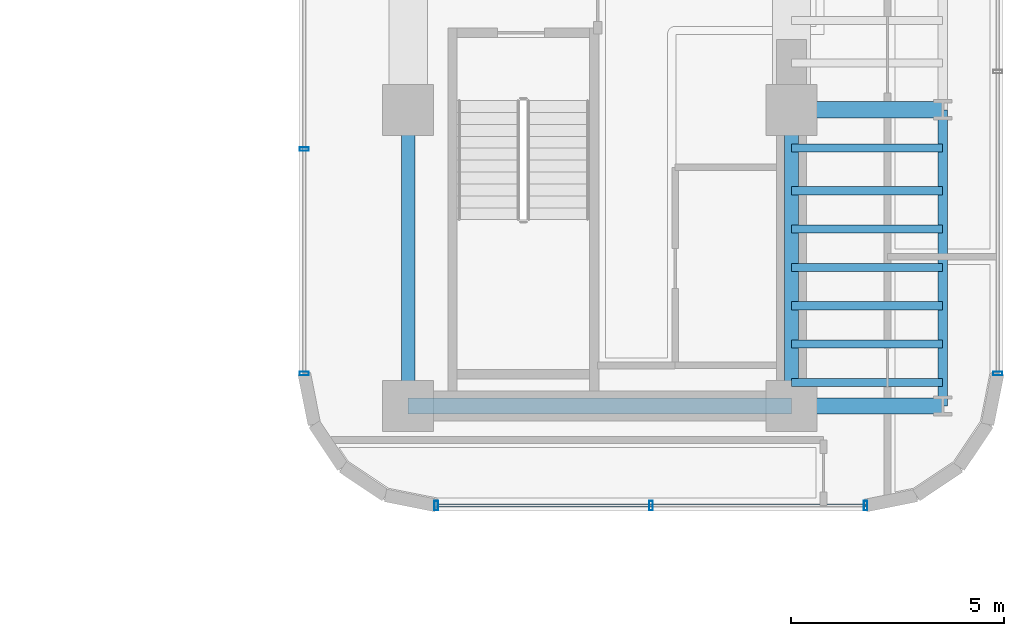
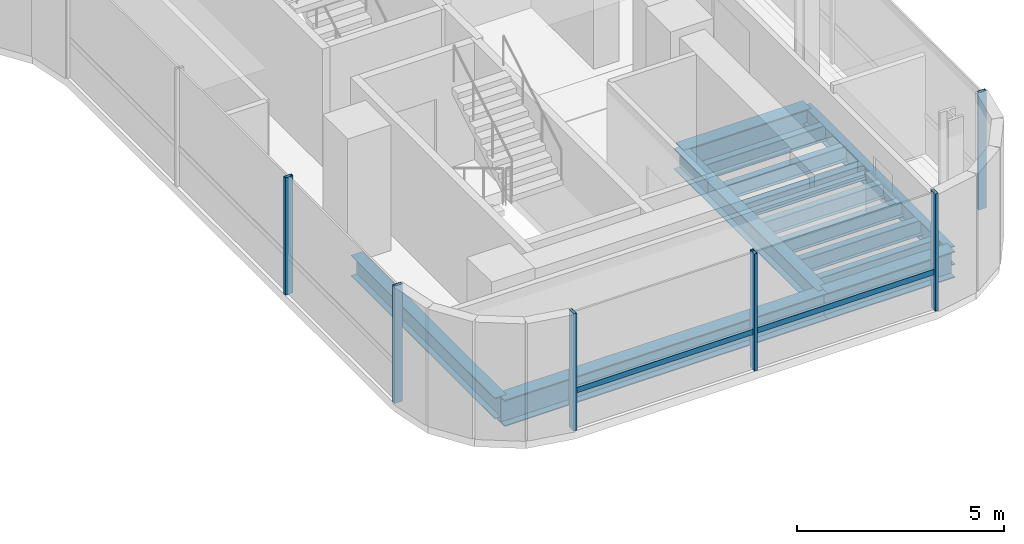
# One storey, part 13 of 37: 13 beams, 7 members, 3 elements without a shape of their own.
"""IFC4 building model written with IfcOpenShell, lengths in metres."""

from ifc_helpers import new_model, si_unit, direction, frame, origin, origin_2d, place, context, subcontext, project, spatial, hollow_rectangle, i_section, extrude, source, transform, mapped, material, material_profile, profile_set, type_object, element, aggregate, save


model = new_model("IFC4")

# Units and contexts
model_context = context("Model", 3, precision=1e-05, world=origin(), true_north=direction((0.0, 1.0)))
body_context = subcontext(model_context, "Body", "Model", "MODEL_VIEW")
ifc_project = project(units=[si_unit("LENGTHUNIT", "METRE"), si_unit("AREAUNIT", "SQUARE_METRE"), si_unit("VOLUMEUNIT", "CUBIC_METRE"), si_unit("PLANEANGLEUNIT", "RADIAN"), si_unit("MASSUNIT", "GRAM", prefix="KILO")], contexts=[model_context])

# Site, building, storey
site_placement = place(None, origin())
site = spatial("IfcSite", under=ifc_project, at=site_placement, CompositionType="ELEMENT")
building_placement = place(site_placement, origin())
building = spatial("IfcBuilding", under=site, at=building_placement, Name="Valdorenza Pilgrim Sanctuary Tower", CompositionType="ELEMENT")
storey_placement = place(building_placement, frame((0.0, 0.0, 127.89990234375)))
storey = spatial("IfcBuildingStorey", under=building, at=storey_placement, Name="L32", CompositionType="ELEMENT", Elevation=127.89990234375)

# Beams
ifc_material_1 = material(Name="Steel ASTM A992 Grade 50", Category="steel")
ifc_material_profile_1 = material_profile(ifc_material_1, i_section(OverallWidth=0.323974609375, OverallDepth=0.611083984375, WebThickness=0.0126953125, FlangeThickness=0.01904296875, at=origin_2d()), Name="W24X104")
ifc_profile_set_1 = profile_set([ifc_material_profile_1], Name="Steel ASTM A992 Grade 50")
beam_type_1 = type_object("IfcBeamType", Name="STR-BM-GRD-W24B", PredefinedType="BEAM", material=ifc_profile_set_1)
shared_shape_1 = source(origin(), body_context, "Body", "SweptSolid", [
    extrude(i_section(OverallWidth=0.323974609375, OverallDepth=0.611083984375, WebThickness=0.0126953125, FlangeThickness=0.01904296875, at=origin_2d()), origin(), (0.0, 0.0, 1.0), 6.949951171875),
])
for number, where, z_axis, x_axis, name in (
    (1, (15.85009765625, -9.550048828125, -0.54541015625), (0.0, 1.0, 0.0), (-1.0, 0.0, 0.0), "L32 Core Tie Girder CB-W-S1M0"),
    (2, (24.85009765625, -9.550048828125, -0.54541015625), (0.0, 1.0, 0.0), (-1.0, 0.0, 0.0), "L32 Core Tie Girder CB-E-S1M0"),
):
    element("IfcBeam", number, at=place(storey_placement, frame(where, z_axis=z_axis, x_axis=x_axis)), inside=storey, type_object=beam_type_1, Name=name, PredefinedType="BEAM", context=body_context, shape_type="MappedRepresentation", body=[
        mapped(shared_shape_1, transform((0.0, 0.0, 0.0), x_axis=(1.0, 0.0, 0.0), y_axis=(0.0, 1.0, 0.0), z_axis=(0.0, 0.0, 1.0), scale=1.0)),
    ])
ifc_material_profile_2 = material_profile(ifc_material_1, i_section(OverallWidth=0.214111328125, OverallDepth=0.549072265625, WebThickness=0.0146484375, FlangeThickness=0.023681640625, at=origin_2d()), Name="W21X93")
ifc_profile_set_2 = profile_set([ifc_material_profile_2], Name="Steel ASTM A992 Grade 50")
beam_type_2 = type_object("IfcBeamType", Name="STR-BM-SPN-W21A", PredefinedType="SPANDREL", material=ifc_profile_set_2)
shared_shape_2 = source(origin(), body_context, "Body", "SweptSolid", [
    extrude(i_section(OverallWidth=0.214111328125, OverallDepth=0.549072265625, WebThickness=0.0146484375, FlangeThickness=0.023681640625, at=origin_2d()), origin(), (0.0, 0.0, 1.0), 6.949951171875),
])
beam_1_placement = place(storey_placement, frame((28.39990234375, -9.550048828125, -0.514404296875), z_axis=(0.0, 1.0, 0.0), x_axis=(-1.0, 0.0, 0.0)))
element("IfcBeam", 3, at=beam_1_placement, inside=storey, type_object=beam_type_2, Name="L32 Spandrel Beam WB-E-S1M0", PredefinedType="SPANDREL", context=body_context, shape_type="MappedRepresentation", body=[
    mapped(shared_shape_2, transform((0.0, 0.0, 0.0), x_axis=(1.0, 0.0, 0.0), y_axis=(0.0, 1.0, 0.0), z_axis=(0.0, 0.0, 1.0), scale=1.0)),
])
ifc_material_profile_3 = material_profile(ifc_material_1, i_section(OverallWidth=0.382080078125, OverallDepth=0.779052734375, WebThickness=0.01806640625, FlangeThickness=0.030029296875, at=origin_2d()), Name="W30X191")
ifc_profile_set_3 = profile_set([ifc_material_profile_3], Name="Steel ASTM A992 Grade 50")
beam_type_3 = type_object("IfcBeamType", Name="STR-BM-GRD-W30", PredefinedType="BEAM", material=ifc_profile_set_3)
shared_shape_3 = source(origin(), body_context, "Body", "SweptSolid", [
    extrude(i_section(OverallWidth=0.382080078125, OverallDepth=0.779052734375, WebThickness=0.01806640625, FlangeThickness=0.030029296875, at=origin_2d()), origin(), (0.0, 0.0, 1.0), 9.0),
])
beam_2_placement = place(storey_placement, frame((15.85009765625, -9.550048828125, -0.62939453125), z_axis=(1.0, 0.0, 0.0), x_axis=(0.0, 1.0, 0.0)))
element("IfcBeam", 4, at=beam_2_placement, inside=storey, type_object=beam_type_3, Name="L32 Floor Girder CB-XC-S1", PredefinedType="BEAM", context=body_context, shape_type="MappedRepresentation", body=[
    mapped(shared_shape_3, transform((0.0, 0.0, 0.0), x_axis=(1.0, 0.0, 0.0), y_axis=(0.0, 1.0, 0.0), z_axis=(0.0, 0.0, 1.0), scale=1.0)),
])
shared_shape_4 = source(origin(), body_context, "Body", "SweptSolid", [
    extrude(i_section(OverallWidth=0.382080078125, OverallDepth=0.779052734375, WebThickness=0.01806640625, FlangeThickness=0.030029296875, at=origin_2d()), origin(), (0.0, 0.0, 1.0), 3.5498046875),
])
for number, where, z_axis, x_axis, name in (
    (5, (24.85009765625, -9.550048828125, -0.62939453125), (1.0, 0.0, 0.0), (0.0, 1.0, 0.0), "L32 Floor Girder WB-XE-S1"),
    (6, (24.85009765625, -2.60009765625, -0.62939453125), (1.0, 0.0, 0.0), (0.0, 1.0, 0.0), "L32 Floor Girder WB-XE-M0"),
):
    element("IfcBeam", number, at=place(storey_placement, frame(where, z_axis=z_axis, x_axis=x_axis)), inside=storey, type_object=beam_type_3, Name=name, PredefinedType="BEAM", context=body_context, shape_type="MappedRepresentation", body=[
        mapped(shared_shape_4, transform((0.0, 0.0, 0.0), x_axis=(1.0, 0.0, 0.0), y_axis=(0.0, 1.0, 0.0), z_axis=(0.0, 0.0, 1.0), scale=1.0)),
    ])
ifc_material_profile_4 = material_profile(ifc_material_1, i_section(OverallWidth=0.19091796875, OverallDepth=0.45703125, WebThickness=0.009033203125, FlangeThickness=0.014404296875, at=origin_2d()), Name="W18X50")
ifc_profile_set_4 = profile_set([ifc_material_profile_4], Name="Steel ASTM A992 Grade 50")
beam_type_4 = type_object("IfcBeamType", Name="STR-BM-JST-W18B", PredefinedType="JOIST", material=ifc_profile_set_4)
shared_shape_5 = source(origin(), body_context, "Body", "SweptSolid", [
    extrude(i_section(OverallWidth=0.19091796875, OverallDepth=0.45703125, WebThickness=0.009033203125, FlangeThickness=0.014404296875, at=origin_2d()), origin(), (0.0, 0.0, 1.0), 3.5498046875),
])
for number, where, z_axis, x_axis, name in (
    (7, (24.85009765625, -9.0, -0.468505859375), (1.0, 0.0, 0.0), (0.0, 1.0, 0.0), "L32 Composite Floor Joist JST-WB-1"),
    (8, (24.85009765625, -8.10009765625, -0.468505859375), (1.0, 0.0, 0.0), (0.0, 1.0, 0.0), "L32 Composite Floor Joist JST-WB-2"),
    (9, (24.85009765625, -7.199951171875, -0.468505859375), (1.0, 0.0, 0.0), (0.0, 1.0, 0.0), "L32 Composite Floor Joist JST-WB-3"),
    (10, (24.85009765625, -6.300048828125, -0.468505859375), (1.0, 0.0, 0.0), (0.0, 1.0, 0.0), "L32 Composite Floor Joist JST-WB-4"),
    (11, (24.85009765625, -5.39990234375, -0.468505859375), (1.0, 0.0, 0.0), (0.0, 1.0, 0.0), "L32 Composite Floor Joist JST-WB-5"),
    (12, (24.85009765625, -4.5, -0.468505859375), (1.0, 0.0, 0.0), (0.0, 1.0, 0.0), "L32 Composite Floor Joist JST-WB-6"),
    (13, (24.85009765625, -3.5, -0.468505859375), (1.0, 0.0, 0.0), (0.0, 1.0, 0.0), "L32 Composite Floor Joist JST-WB-7"),
):
    element("IfcBeam", number, at=place(storey_placement, frame(where, z_axis=z_axis, x_axis=x_axis)), inside=storey, type_object=beam_type_4, Name=name, PredefinedType="JOIST", context=body_context, shape_type="MappedRepresentation", body=[
        mapped(shared_shape_5, transform((0.0, 0.0, 0.0), x_axis=(1.0, 0.0, 0.0), y_axis=(0.0, 1.0, 0.0), z_axis=(0.0, 0.0, 1.0), scale=1.0)),
    ])

# Curtain wall, member
ifc_material_2 = material(Name="Curtain-wall IGU glazing", Category="glass")
curtain_wall_type = type_object("IfcCurtainWallType", Name="CW-SYS-03", PredefinedType="NOTDEFINED", material=ifc_material_2)
curtain_wall_1_placement = place(storey_placement, origin())
curtain_wall_1 = element("IfcCurtainWall", 14, at=curtain_wall_1_placement, inside=storey, type_object=curtain_wall_type, Name="L32 Curtain Wall CW-L32-1-21", PredefinedType="NOTDEFINED")
ifc_material_3 = material(Name="Anodised aluminium AW-6060", Category="aluminium")
ifc_material_profile_5 = material_profile(ifc_material_3, hollow_rectangle(XDim=0.0849609375, YDim=0.219970703125, WallThickness=0.0048828125, at=origin_2d()), Name="ALU-M 220x85x5")
ifc_profile_set_5 = profile_set([ifc_material_profile_5], Name="Anodised aluminium AW-6060")
member_type_1 = type_object("IfcMemberType", Name="CW-MUL-03", PredefinedType="MULLION", material=ifc_profile_set_5)
shared_shape_6 = source(origin(), body_context, "Body", "SweptSolid", [
    extrude(hollow_rectangle(XDim=0.0849609375, YDim=0.219970703125, WallThickness=0.0048828125, at=origin_2d()), origin(), (0.0, 0.0, 1.0), 3.460205078125),
])
member_1_placement = place(storey_placement, frame((29.68994140625, -8.789306640625, 0.0), z_axis=(0.0, 0.0, 1.0), x_axis=(0.0, -1.0, 0.0)))
member_1 = element("IfcMember", 15, at=member_1_placement, type_object=member_type_1, Name="CW-L32-1-21 Mullion 4", PredefinedType="MULLION", context=body_context, shape_type="MappedRepresentation", body=[
    mapped(shared_shape_6, transform((0.0, 0.0, 0.0), x_axis=(1.0, 0.0, 0.0), y_axis=(0.0, 1.0, 0.0), z_axis=(0.0, 0.0, 1.0), scale=1.0)),
])
aggregate(curtain_wall_1, [member_1])

# Curtain wall, members
curtain_wall_2_placement = place(storey_placement, origin())
curtain_wall_2 = element("IfcCurtainWall", 16, at=curtain_wall_2_placement, inside=storey, type_object=curtain_wall_type, Name="L32 Curtain Wall CW-L32-1-26", PredefinedType="NOTDEFINED")
member_2_placement = place(storey_placement, frame((26.589111328125, -11.889892578125, 0.0), z_axis=(0.0, 0.0, 1.0), x_axis=(-1.0, 0.0, 0.0)))
member_2 = element("IfcMember", 17, at=member_2_placement, type_object=member_type_1, Name="CW-L32-1-26 Mullion 1", PredefinedType="MULLION", context=body_context, shape_type="MappedRepresentation", body=[
    mapped(shared_shape_6, transform((0.0, 0.0, 0.0), x_axis=(1.0, 0.0, 0.0), y_axis=(0.0, 1.0, 0.0), z_axis=(0.0, 0.0, 1.0), scale=1.0)),
])
member_3_placement = place(storey_placement, frame((21.550048828125, -11.889892578125, 0.0), z_axis=(0.0, 0.0, 1.0), x_axis=(-1.0, 0.0, 0.0)))
member_3 = element("IfcMember", 18, at=member_3_placement, type_object=member_type_1, Name="CW-L32-1-26 Mullion 2", PredefinedType="MULLION", context=body_context, shape_type="MappedRepresentation", body=[
    mapped(shared_shape_6, transform((0.0, 0.0, 0.0), x_axis=(1.0, 0.0, 0.0), y_axis=(0.0, 1.0, 0.0), z_axis=(0.0, 0.0, 1.0), scale=1.0)),
])
member_4_placement = place(storey_placement, frame((16.5107421875, -11.889892578125, 0.0), z_axis=(0.0, 0.0, 1.0), x_axis=(-1.0, 0.0, 0.0)))
member_4 = element("IfcMember", 19, at=member_4_placement, type_object=member_type_1, Name="CW-L32-1-26 Mullion 3", PredefinedType="MULLION", context=body_context, shape_type="MappedRepresentation", body=[
    mapped(shared_shape_6, transform((0.0, 0.0, 0.0), x_axis=(1.0, 0.0, 0.0), y_axis=(0.0, 1.0, 0.0), z_axis=(0.0, 0.0, 1.0), scale=1.0)),
])

curtain_wall_3_placement = place(storey_placement, origin())
curtain_wall_3 = element("IfcCurtainWall", 20, at=curtain_wall_3_placement, inside=storey, type_object=curtain_wall_type, Name="L32 Curtain Wall CW-L32-1-31", PredefinedType="NOTDEFINED")
member_5_placement = place(storey_placement, frame((13.409912109375, -8.789306640625, 0.0), z_axis=(0.0, 0.0, 1.0), x_axis=(0.0, 1.0, 0.0)))
member_5 = element("IfcMember", 21, at=member_5_placement, type_object=member_type_1, Name="CW-L32-1-31 Mullion 1", PredefinedType="MULLION", context=body_context, shape_type="MappedRepresentation", body=[
    mapped(shared_shape_6, transform((0.0, 0.0, 0.0), x_axis=(1.0, 0.0, 0.0), y_axis=(0.0, 1.0, 0.0), z_axis=(0.0, 0.0, 1.0), scale=1.0)),
])
member_6_placement = place(storey_placement, frame((13.409912109375, -3.5224609375, 0.0), z_axis=(0.0, 0.0, 1.0), x_axis=(0.0, 1.0, 0.0)))
member_6 = element("IfcMember", 22, at=member_6_placement, type_object=member_type_1, Name="CW-L32-1-31 Mullion 2", PredefinedType="MULLION", context=body_context, shape_type="MappedRepresentation", body=[
    mapped(shared_shape_6, transform((0.0, 0.0, 0.0), x_axis=(1.0, 0.0, 0.0), y_axis=(0.0, 1.0, 0.0), z_axis=(0.0, 0.0, 1.0), scale=1.0)),
])
aggregate(curtain_wall_3, [member_5, member_6])

# Member
ifc_material_profile_6 = material_profile(ifc_material_3, hollow_rectangle(XDim=0.074951171875, YDim=0.159912109375, WallThickness=0.00390625, at=origin_2d()), Name="ALU-T 160x75x4")
ifc_profile_set_6 = profile_set([ifc_material_profile_6], Name="Anodised aluminium AW-6060")
member_type_2 = type_object("IfcMemberType", Name="CW-TRN-03", PredefinedType="USERDEFINED", material=ifc_profile_set_6)
shared_shape_7 = source(origin(), body_context, "Body", "SweptSolid", [
    extrude(hollow_rectangle(XDim=0.074951171875, YDim=0.159912109375, WallThickness=0.00390625, at=origin_2d()), origin(), (0.0, 0.0, 1.0), 10.078369140625),
])
member_7_placement = place(storey_placement, frame((26.589111328125, -11.889892578125, 1.1201171875), z_axis=(-1.0, 0.0, 0.0), x_axis=(0.0, -1.0, 0.0)))
member_7 = element("IfcMember", 23, at=member_7_placement, type_object=member_type_2, Name="CW-L32-1-26 Transom 1", ObjectType="TRANSOM", PredefinedType="USERDEFINED", context=body_context, shape_type="MappedRepresentation", body=[
    mapped(shared_shape_7, transform((0.0, 0.0, 0.0), x_axis=(1.0, 0.0, 0.0), y_axis=(0.0, 1.0, 0.0), z_axis=(0.0, 0.0, 1.0), scale=1.0)),
])

aggregate(curtain_wall_2, [member_2, member_3, member_4, member_7])

save(model, "model.ifc")
